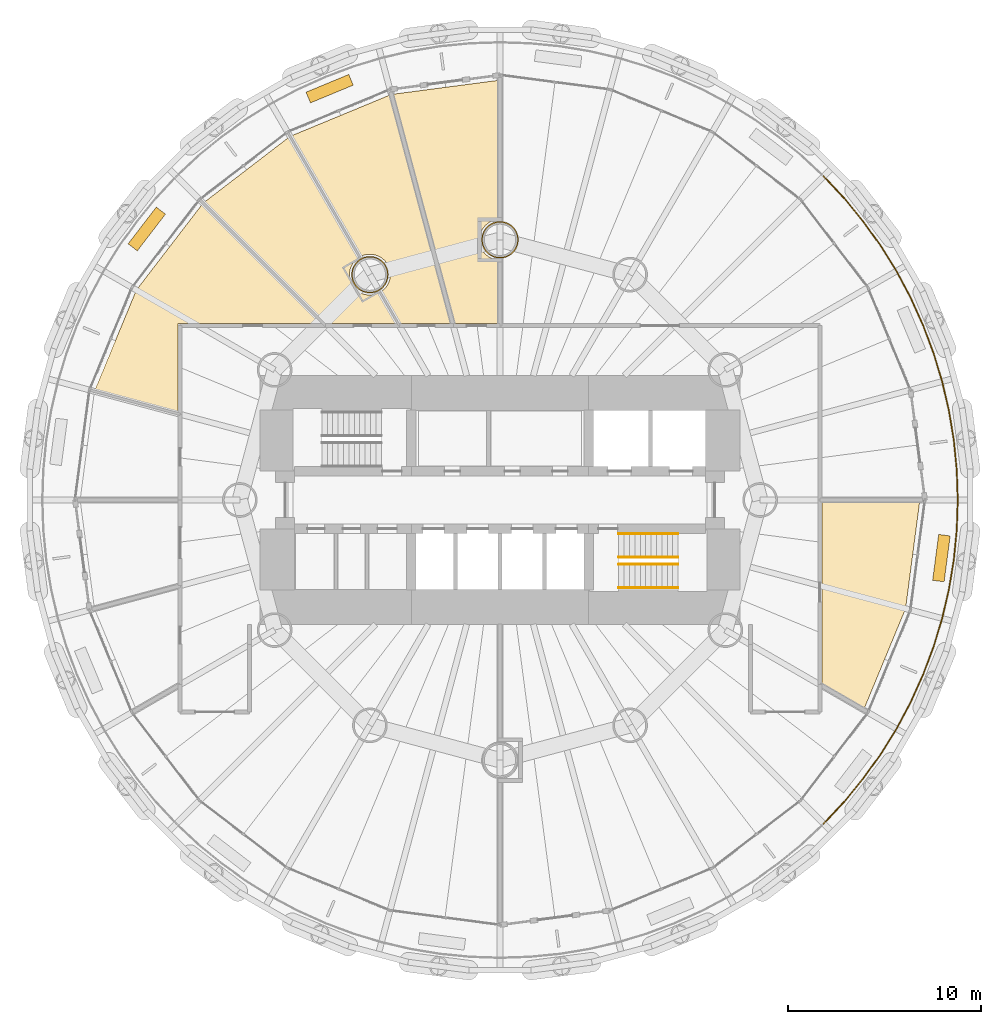
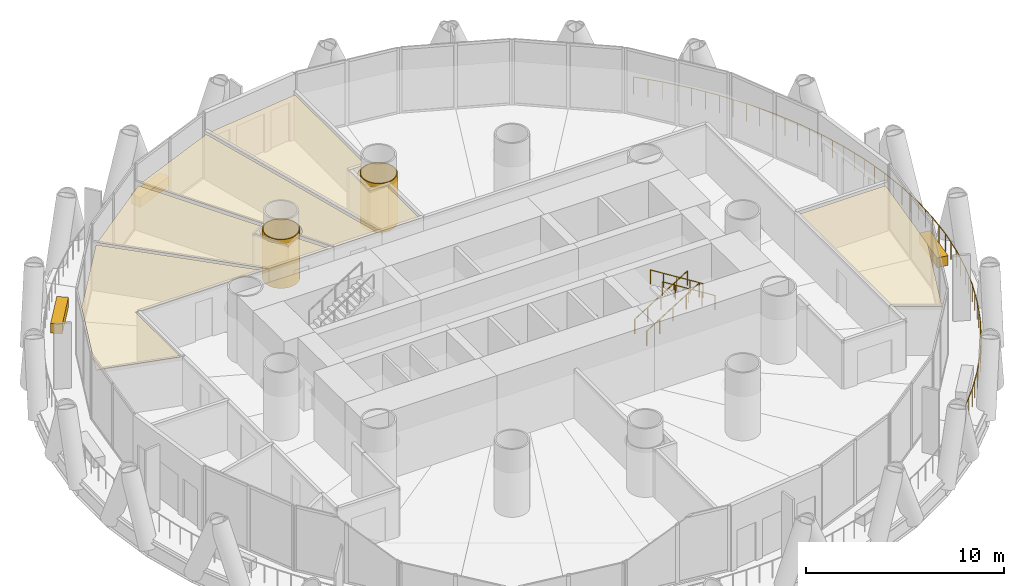
# One storey, part 15 of 16: 10 coverings, 5 railings.
"""IFC4 building model written with IfcOpenShell, lengths in metres."""

from ifc_helpers import new_model, si_unit, direction, frame, origin, origin_2d, place, context, subcontext, project, spatial, polyline, rectangle, circle, outline, extrude, material, layer, layer_set, type_object, element, save


model = new_model("IFC4")

# Units and contexts
model_context = context("Model", 3, precision=1e-05, world=origin(), true_north=direction((0.0, 1.0)))
body_context = subcontext(model_context, "Body", "Model", "MODEL_VIEW")
ifc_project = project(units=[si_unit("LENGTHUNIT", "METRE"), si_unit("AREAUNIT", "SQUARE_METRE"), si_unit("VOLUMEUNIT", "CUBIC_METRE"), si_unit("PLANEANGLEUNIT", "RADIAN"), si_unit("MASSUNIT", "GRAM", prefix="KILO")], contexts=[model_context])

# Site, building, storey
site_placement = place(None, origin())
site = spatial("IfcSite", under=ifc_project, at=site_placement, CompositionType="ELEMENT")
building_placement = place(site_placement, origin())
building = spatial("IfcBuilding", under=site, at=building_placement, Name="Qaws Media Tower", CompositionType="ELEMENT")
storey_placement = place(building_placement, frame((0.0, 0.0, 181.39990234375)))
storey = spatial("IfcBuildingStorey", under=building, at=storey_placement, Name="L41", CompositionType="ELEMENT", Elevation=181.39990234375)

# Covering
ifc_material_1 = material(Name="40 perforated acoustic panels with mineral wool backing, suspended", Category="mineral fibre")
ifc_layer_1 = layer(ifc_material_1, 0.0400390625)
ifc_layer_set_1 = layer_set([ifc_layer_1], Name="Acoustic panel ceiling 40")
covering_type_1 = type_object("IfcCoveringType", Name="Acoustic panel ceiling 40", PredefinedType="CEILING", material=ifc_layer_set_1)
covering_1_placement = place(storey_placement, frame((0.0, 0.0, 2.85009765625)))
element("IfcCovering", 1, at=covering_1_placement, inside=storey, type_object=covering_type_1, Name="CL3 ceiling L41-06 Meeting room", PredefinedType="CEILING", context=body_context, shape_type="SweptSolid", body=[
    extrude(outline(polyline([(41.13330078125, 60.892578125), (44.5263671875, 65.314453125), (50.678466796875, 59.16259765625), (43.28759765625, 59.16259765625), (43.28759765625, 54.594482421875), (39.00048828125, 55.743408203125), (41.13330078125, 60.892578125)])), origin(), (0.0, 0.0, 1.0), 0.0400390625),
])

# Railing
ifc_material_2 = material(Name="Stainless steel and glass guard", Category="steel")
railing_type_1 = type_object("IfcRailingType", Name="Balcony guard 1100", PredefinedType="GUARDRAIL", material=ifc_material_2)
railing_placement = place(storey_placement, frame((76.793701171875, 33.206298828125, 0.0)))
element("IfcRailing", 2, at=railing_placement, inside=storey, type_object=railing_type_1, Name="GR1 balcony guard L41-4", PredefinedType="GUARDRAIL", context=body_context, shape_type="SweptSolid", body=[
    extrude(circle(Radius=0.02392578125, at=origin_2d()), frame((0.0, 0.0, 1.076171875), z_axis=(0.683638001777, 0.729821267522, 0.0), x_axis=(-0.729821267522, 0.683638001777, 0.0)), (0.0, 0.0, 1.0), 1.55419921875),
    extrude(circle(Radius=0.02392578125, at=origin_2d()), frame((1.0625, 1.13427734375, 1.076171875), z_axis=(0.634340684529, 0.773053617773, 0.0), x_axis=(-0.773053617773, 0.634340684529, 0.0)), (0.0, 0.0, 1.0), 1.55419921875),
    extrude(circle(Radius=0.02392578125, at=origin_2d()), frame((2.04833984375, 2.335693359375, 1.076171875), z_axis=(0.582515481773, 0.812819606983, 0.0), x_axis=(-0.812819606983, 0.582515481773, 0.0)), (0.0, 0.0, 1.0), 1.553955078125),
    extrude(circle(Radius=0.02392578125, at=origin_2d()), frame((2.95361328125, 3.598876953125, 1.076171875), z_axis=(0.528105591598, 0.849178711534, 0.0), x_axis=(-0.849178711534, 0.528105591598, 0.0)), (0.0, 0.0, 1.0), 1.55419921875),
    extrude(circle(Radius=0.02392578125, at=origin_2d()), frame((3.7744140625, 4.918701171875, 1.076171875), z_axis=(0.471427829863, 0.881904644069, 0.0), x_axis=(-0.881904644069, 0.471427829863, 0.0)), (0.0, 0.0, 1.0), 1.55419921875),
    extrude(circle(Radius=0.02392578125, at=origin_2d()), frame((4.507080078125, 6.289306640625, 1.076171875), z_axis=(0.412642816459, 0.910892916881, 0.0), x_axis=(-0.910892916881, 0.412642816459, 0.0)), (0.0, 0.0, 1.0), 1.55419921875),
    extrude(circle(Radius=0.02392578125, at=origin_2d()), frame((5.1484375, 7.705078125, 1.076171875), z_axis=(0.352242335956, 0.935908829299, 0.0), x_axis=(-0.935908829299, 0.352242335956, 0.0)), (0.0, 0.0, 1.0), 1.553955078125),
    extrude(circle(Radius=0.02392578125, at=origin_2d()), frame((5.69580078125, 9.159423828125, 1.076171875), z_axis=(0.290286403891, 0.956939811961, 0.0), x_axis=(-0.956939811961, 0.290286403891, 0.0)), (0.0, 0.0, 1.0), 1.55419921875),
    extrude(circle(Radius=0.02392578125, at=origin_2d()), frame((6.14697265625, 10.646728515625, 1.076171875), z_axis=(0.227130304689, 0.97386437695, 0.0), x_axis=(-0.97386437695, 0.227130304689, 0.0)), (0.0, 0.0, 1.0), 1.55419921875),
    extrude(circle(Radius=0.02392578125, at=origin_2d()), frame((6.5, 12.160400390625, 1.076171875), z_axis=(0.162921137125, 0.986639094643, 0.0), x_axis=(-0.986639094643, 0.162921137125, 0.0)), (0.0, 0.0, 1.0), 1.553955078125),
    extrude(circle(Radius=0.02392578125, at=origin_2d()), frame((6.753173828125, 13.693603515625, 1.076171875), z_axis=(0.098010679686, 0.995185362969, 0.0), x_axis=(-0.995185362969, 0.098010679686, 0.0)), (0.0, 0.0, 1.0), 1.554443359375),
    extrude(circle(Radius=0.02392578125, at=origin_2d()), frame((6.905517578125, 15.240478515625, 1.076171875), z_axis=(0.032676661877, 0.999465975293, 0.0), x_axis=(-0.999465975293, 0.032676661877, 0.0)), (0.0, 0.0, 1.0), 1.553955078125),
    extrude(circle(Radius=0.02392578125, at=origin_2d()), frame((6.956298828125, 16.793701171875, 1.076171875), z_axis=(-0.032676661877, 0.999465975293, 0.0), x_axis=(-0.999465975293, -0.032676661877, 0.0)), (0.0, 0.0, 1.0), 1.553955078125),
    extrude(circle(Radius=0.02392578125, at=origin_2d()), frame((6.905517578125, 18.346923828125, 1.076171875), z_axis=(-0.098010679686, 0.995185362969, 0.0), x_axis=(-0.995185362969, -0.098010679686, 0.0)), (0.0, 0.0, 1.0), 1.554443359375),
    extrude(circle(Radius=0.02392578125, at=origin_2d()), frame((6.753173828125, 19.893798828125, 1.076171875), z_axis=(-0.162921137125, 0.986639094643, 0.0), x_axis=(-0.986639094643, -0.162921137125, 0.0)), (0.0, 0.0, 1.0), 1.553955078125),
    extrude(circle(Radius=0.02392578125, at=origin_2d()), frame((6.5, 21.427001953125, 1.076171875), z_axis=(-0.227130304689, 0.97386437695, 0.0), x_axis=(-0.97386437695, -0.227130304689, 0.0)), (0.0, 0.0, 1.0), 1.55419921875),
    extrude(circle(Radius=0.02392578125, at=origin_2d()), frame((6.14697265625, 22.940673828125, 1.076171875), z_axis=(-0.290286403891, 0.956939811961, 0.0), x_axis=(-0.956939811961, -0.290286403891, 0.0)), (0.0, 0.0, 1.0), 1.55419921875),
    extrude(circle(Radius=0.02392578125, at=origin_2d()), frame((5.69580078125, 24.427978515625, 1.076171875), z_axis=(-0.352242335956, 0.935908829299, 0.0), x_axis=(-0.935908829299, -0.352242335956, 0.0)), (0.0, 0.0, 1.0), 1.553955078125),
    extrude(circle(Radius=0.02392578125, at=origin_2d()), frame((5.1484375, 25.88232421875, 1.076171875), z_axis=(-0.412642816459, 0.910892916881, 0.0), x_axis=(-0.910892916881, -0.412642816459, 0.0)), (0.0, 0.0, 1.0), 1.55419921875),
    extrude(circle(Radius=0.02392578125, at=origin_2d()), frame((4.507080078125, 27.298095703125, 1.076171875), z_axis=(-0.471427829863, 0.881904644069, 0.0), x_axis=(-0.881904644069, -0.471427829863, 0.0)), (0.0, 0.0, 1.0), 1.55419921875),
    extrude(circle(Radius=0.02392578125, at=origin_2d()), frame((3.7744140625, 28.668701171875, 1.076171875), z_axis=(-0.528105591598, 0.849178711534, 0.0), x_axis=(-0.849178711534, -0.528105591598, 0.0)), (0.0, 0.0, 1.0), 1.55419921875),
    extrude(circle(Radius=0.02392578125, at=origin_2d()), frame((2.95361328125, 29.988525390625, 1.076171875), z_axis=(-0.582515481773, 0.812819606983, 0.0), x_axis=(-0.812819606983, -0.582515481773, 0.0)), (0.0, 0.0, 1.0), 1.553955078125),
    extrude(circle(Radius=0.02392578125, at=origin_2d()), frame((2.04833984375, 31.251708984375, 1.076171875), z_axis=(-0.634340684529, 0.773053617773, 0.0), x_axis=(-0.773053617773, -0.634340684529, 0.0)), (0.0, 0.0, 1.0), 1.55419921875),
    extrude(circle(Radius=0.02392578125, at=origin_2d()), frame((1.0625, 32.453125, 1.076171875), z_axis=(-0.683638001777, 0.729821267522, 0.0), x_axis=(-0.729821267522, -0.683638001777, 0.0)), (0.0, 0.0, 1.0), 1.55419921875),
    extrude(circle(Radius=0.02099609375, at=origin_2d()), origin(), (0.0, 0.0, 1.0), 1.052001953125),
    extrude(circle(Radius=0.02099609375, at=origin_2d()), frame((0.53125, 0.567138671875, 0.0)), (0.0, 0.0, 1.0), 1.052001953125),
    extrude(circle(Radius=0.02099609375, at=origin_2d()), frame((1.0625, 1.13427734375, 0.0)), (0.0, 0.0, 1.0), 1.052001953125),
    extrude(circle(Radius=0.02099609375, at=origin_2d()), frame((1.555419921875, 1.73486328125, 0.0)), (0.0, 0.0, 1.0), 1.052001953125),
    extrude(circle(Radius=0.02099609375, at=origin_2d()), frame((2.04833984375, 2.335693359375, 0.0)), (0.0, 0.0, 1.0), 1.052001953125),
    extrude(circle(Radius=0.02099609375, at=origin_2d()), frame((2.5009765625, 2.96728515625, 0.0)), (0.0, 0.0, 1.0), 1.052001953125),
    extrude(circle(Radius=0.02099609375, at=origin_2d()), frame((2.95361328125, 3.598876953125, 0.0)), (0.0, 0.0, 1.0), 1.052001953125),
    extrude(circle(Radius=0.02099609375, at=origin_2d()), frame((3.364013671875, 4.2587890625, 0.0)), (0.0, 0.0, 1.0), 1.052001953125),
    extrude(circle(Radius=0.02099609375, at=origin_2d()), frame((3.7744140625, 4.918701171875, 0.0)), (0.0, 0.0, 1.0), 1.052001953125),
    extrude(circle(Radius=0.02099609375, at=origin_2d()), frame((4.140625, 5.60400390625, 0.0)), (0.0, 0.0, 1.0), 1.052001953125),
    extrude(circle(Radius=0.02099609375, at=origin_2d()), frame((4.507080078125, 6.289306640625, 0.0)), (0.0, 0.0, 1.0), 1.052001953125),
    extrude(circle(Radius=0.02099609375, at=origin_2d()), frame((4.82763671875, 6.9970703125, 0.0)), (0.0, 0.0, 1.0), 1.052001953125),
    extrude(circle(Radius=0.02099609375, at=origin_2d()), frame((5.1484375, 7.705078125, 0.0)), (0.0, 0.0, 1.0), 1.052001953125),
    extrude(circle(Radius=0.02099609375, at=origin_2d()), frame((5.422119140625, 8.43212890625, 0.0)), (0.0, 0.0, 1.0), 1.052001953125),
    extrude(circle(Radius=0.02099609375, at=origin_2d()), frame((5.69580078125, 9.159423828125, 0.0)), (0.0, 0.0, 1.0), 1.052001953125),
    extrude(circle(Radius=0.02099609375, at=origin_2d()), frame((5.92138671875, 9.903076171875, 0.0)), (0.0, 0.0, 1.0), 1.052001953125),
    extrude(circle(Radius=0.02099609375, at=origin_2d()), frame((6.14697265625, 10.646728515625, 0.0)), (0.0, 0.0, 1.0), 1.052001953125),
    extrude(circle(Radius=0.02099609375, at=origin_2d()), frame((6.323486328125, 11.403564453125, 0.0)), (0.0, 0.0, 1.0), 1.052001953125),
    extrude(circle(Radius=0.02099609375, at=origin_2d()), frame((6.5, 12.160400390625, 0.0)), (0.0, 0.0, 1.0), 1.052001953125),
    extrude(circle(Radius=0.02099609375, at=origin_2d()), frame((6.62646484375, 12.927001953125, 0.0)), (0.0, 0.0, 1.0), 1.052001953125),
    extrude(circle(Radius=0.02099609375, at=origin_2d()), frame((6.753173828125, 13.693603515625, 0.0)), (0.0, 0.0, 1.0), 1.052001953125),
    extrude(circle(Radius=0.02099609375, at=origin_2d()), frame((6.829345703125, 14.467041015625, 0.0)), (0.0, 0.0, 1.0), 1.052001953125),
    extrude(circle(Radius=0.02099609375, at=origin_2d()), frame((6.905517578125, 15.240478515625, 0.0)), (0.0, 0.0, 1.0), 1.052001953125),
    extrude(circle(Radius=0.02099609375, at=origin_2d()), frame((6.930908203125, 16.01708984375, 0.0)), (0.0, 0.0, 1.0), 1.052001953125),
    extrude(circle(Radius=0.02099609375, at=origin_2d()), frame((6.956298828125, 16.793701171875, 0.0)), (0.0, 0.0, 1.0), 1.052001953125),
    extrude(circle(Radius=0.02099609375, at=origin_2d()), frame((6.930908203125, 17.5703125, 0.0)), (0.0, 0.0, 1.0), 1.052001953125),
    extrude(circle(Radius=0.02099609375, at=origin_2d()), frame((6.905517578125, 18.346923828125, 0.0)), (0.0, 0.0, 1.0), 1.052001953125),
    extrude(circle(Radius=0.02099609375, at=origin_2d()), frame((6.829345703125, 19.120361328125, 0.0)), (0.0, 0.0, 1.0), 1.052001953125),
    extrude(circle(Radius=0.02099609375, at=origin_2d()), frame((6.753173828125, 19.893798828125, 0.0)), (0.0, 0.0, 1.0), 1.052001953125),
    extrude(circle(Radius=0.02099609375, at=origin_2d()), frame((6.62646484375, 20.660400390625, 0.0)), (0.0, 0.0, 1.0), 1.052001953125),
    extrude(circle(Radius=0.02099609375, at=origin_2d()), frame((6.5, 21.427001953125, 0.0)), (0.0, 0.0, 1.0), 1.052001953125),
    extrude(circle(Radius=0.02099609375, at=origin_2d()), frame((6.323486328125, 22.183837890625, 0.0)), (0.0, 0.0, 1.0), 1.052001953125),
    extrude(circle(Radius=0.02099609375, at=origin_2d()), frame((6.14697265625, 22.940673828125, 0.0)), (0.0, 0.0, 1.0), 1.052001953125),
    extrude(circle(Radius=0.02099609375, at=origin_2d()), frame((5.92138671875, 23.684326171875, 0.0)), (0.0, 0.0, 1.0), 1.052001953125),
    extrude(circle(Radius=0.02099609375, at=origin_2d()), frame((5.69580078125, 24.427978515625, 0.0)), (0.0, 0.0, 1.0), 1.052001953125),
    extrude(circle(Radius=0.02099609375, at=origin_2d()), frame((5.422119140625, 25.1552734375, 0.0)), (0.0, 0.0, 1.0), 1.052001953125),
    extrude(circle(Radius=0.02099609375, at=origin_2d()), frame((5.1484375, 25.88232421875, 0.0)), (0.0, 0.0, 1.0), 1.052001953125),
    extrude(circle(Radius=0.02099609375, at=origin_2d()), frame((4.82763671875, 26.59033203125, 0.0)), (0.0, 0.0, 1.0), 1.052001953125),
    extrude(circle(Radius=0.02099609375, at=origin_2d()), frame((4.507080078125, 27.298095703125, 0.0)), (0.0, 0.0, 1.0), 1.052001953125),
    extrude(circle(Radius=0.02099609375, at=origin_2d()), frame((4.140625, 27.9833984375, 0.0)), (0.0, 0.0, 1.0), 1.052001953125),
    extrude(circle(Radius=0.02099609375, at=origin_2d()), frame((3.7744140625, 28.668701171875, 0.0)), (0.0, 0.0, 1.0), 1.052001953125),
    extrude(circle(Radius=0.02099609375, at=origin_2d()), frame((3.364013671875, 29.32861328125, 0.0)), (0.0, 0.0, 1.0), 1.052001953125),
    extrude(circle(Radius=0.02099609375, at=origin_2d()), frame((2.95361328125, 29.988525390625, 0.0)), (0.0, 0.0, 1.0), 1.052001953125),
    extrude(circle(Radius=0.02099609375, at=origin_2d()), frame((2.5009765625, 30.6201171875, 0.0)), (0.0, 0.0, 1.0), 1.052001953125),
    extrude(circle(Radius=0.02099609375, at=origin_2d()), frame((2.04833984375, 31.251708984375, 0.0)), (0.0, 0.0, 1.0), 1.052001953125),
    extrude(circle(Radius=0.02099609375, at=origin_2d()), frame((1.555419921875, 31.8525390625, 0.0)), (0.0, 0.0, 1.0), 1.052001953125),
    extrude(circle(Radius=0.02099609375, at=origin_2d()), frame((1.0625, 32.453125, 0.0)), (0.0, 0.0, 1.0), 1.052001953125),
    extrude(circle(Radius=0.02099609375, at=origin_2d()), frame((0.53125, 33.020263671875, 0.0)), (0.0, 0.0, 1.0), 1.052001953125),
    extrude(circle(Radius=0.02099609375, at=origin_2d()), frame((0.0, 33.58740234375, 0.0)), (0.0, 0.0, 1.0), 1.052001953125),
])

# Coverings
ifc_material_3 = material(Name="Two layers 15 fire-rated gypsum board on steel framing", Category="steel")
ifc_layer_2 = layer(ifc_material_3, 0.050048828125)
ifc_layer_set_2 = layer_set([ifc_layer_2], Name="Column fire casing")
covering_type_2 = type_object("IfcCoveringType", Name="Column fire casing", PredefinedType="CLADDING", material=ifc_layer_set_2)
covering_2_placement = place(storey_placement, origin())
element("IfcCovering", 3, at=covering_2_placement, inside=storey, type_object=covering_type_2, Name="CC1 column casing L41", PredefinedType="CLADDING", context=body_context, shape_type="SweptSolid", body=[
    extrude(outline(polyline([(60.955078125, 63.5), (60.94677734375, 63.375244140625), (60.922607421875, 63.252685546875), (60.88232421875, 63.134521484375), (60.8271484375, 63.0224609375), (60.7578125, 62.918701171875), (60.67529296875, 62.82470703125), (60.581298828125, 62.7421875), (60.4775390625, 62.6728515625), (60.365478515625, 62.61767578125), (60.247314453125, 62.577392578125), (60.124755859375, 62.55322265625), (60.0, 62.544921875), (59.875244140625, 62.55322265625), (59.752685546875, 62.577392578125), (59.634521484375, 62.61767578125), (59.5224609375, 62.6728515625), (59.418701171875, 62.7421875), (59.32470703125, 62.82470703125), (59.2421875, 62.918701171875), (59.1728515625, 63.0224609375), (59.11767578125, 63.134521484375), (59.077392578125, 63.252685546875), (59.05322265625, 63.375244140625), (59.044921875, 63.5), (59.05322265625, 63.624755859375), (59.077392578125, 63.747314453125), (59.11767578125, 63.865478515625), (59.1728515625, 63.9775390625), (59.2421875, 64.081298828125), (59.32470703125, 64.17529296875), (59.418701171875, 64.2578125), (59.5224609375, 64.3271484375), (59.634521484375, 64.38232421875), (59.752685546875, 64.422607421875), (59.875244140625, 64.44677734375), (60.0, 64.455078125), (60.124755859375, 64.44677734375), (60.247314453125, 64.422607421875), (60.365478515625, 64.38232421875), (60.4775390625, 64.3271484375), (60.581298828125, 64.2578125), (60.67529296875, 64.17529296875), (60.7578125, 64.081298828125), (60.8271484375, 63.9775390625), (60.88232421875, 63.865478515625), (60.922607421875, 63.747314453125), (60.94677734375, 63.624755859375), (60.955078125, 63.5)]), holes=[polyline([(60.903076171875, 63.5), (60.895263671875, 63.382080078125), (60.872314453125, 63.266357421875), (60.834228515625, 63.154296875), (60.781982421875, 63.048583984375), (60.71630859375, 62.9501953125), (60.638427734375, 62.861572265625), (60.5498046875, 62.78369140625), (60.451416015625, 62.718017578125), (60.345703125, 62.665771484375), (60.233642578125, 62.627685546875), (60.117919921875, 62.604736328125), (60.0, 62.596923828125), (59.882080078125, 62.604736328125), (59.766357421875, 62.627685546875), (59.654296875, 62.665771484375), (59.548583984375, 62.718017578125), (59.4501953125, 62.78369140625), (59.361572265625, 62.861572265625), (59.28369140625, 62.9501953125), (59.218017578125, 63.048583984375), (59.165771484375, 63.154296875), (59.127685546875, 63.266357421875), (59.104736328125, 63.382080078125), (59.096923828125, 63.5), (59.104736328125, 63.617919921875), (59.127685546875, 63.733642578125), (59.165771484375, 63.845703125), (59.218017578125, 63.951416015625), (59.28369140625, 64.0498046875), (59.361572265625, 64.138427734375), (59.4501953125, 64.21630859375), (59.548583984375, 64.281982421875), (59.654296875, 64.334228515625), (59.766357421875, 64.372314453125), (59.882080078125, 64.395263671875), (60.0, 64.403076171875), (60.117919921875, 64.395263671875), (60.233642578125, 64.372314453125), (60.345703125, 64.334228515625), (60.451416015625, 64.281982421875), (60.5498046875, 64.21630859375), (60.638427734375, 64.138427734375), (60.71630859375, 64.0498046875), (60.781982421875, 63.951416015625), (60.834228515625, 63.845703125), (60.872314453125, 63.733642578125), (60.895263671875, 63.617919921875), (60.903076171875, 63.5)])]), origin(), (0.0, 0.0, 1.0), 3.02001953125),
])
covering_3_placement = place(storey_placement, origin())
element("IfcCovering", 4, at=covering_3_placement, inside=storey, type_object=covering_type_2, Name="CC1 column casing L41", PredefinedType="CLADDING", context=body_context, shape_type="SweptSolid", body=[
    extrude(outline(polyline([(54.205078125, 61.69140625), (54.19677734375, 61.566650390625), (54.172607421875, 61.444091796875), (54.13232421875, 61.325927734375), (54.0771484375, 61.2138671875), (54.0078125, 61.110107421875), (53.92529296875, 61.01611328125), (53.831298828125, 60.93359375), (53.7275390625, 60.8642578125), (53.615478515625, 60.80908203125), (53.497314453125, 60.768798828125), (53.374755859375, 60.744384765625), (53.25, 60.736328125), (53.125244140625, 60.744384765625), (53.002685546875, 60.768798828125), (52.884521484375, 60.80908203125), (52.7724609375, 60.8642578125), (52.668701171875, 60.93359375), (52.57470703125, 61.01611328125), (52.4921875, 61.110107421875), (52.4228515625, 61.2138671875), (52.36767578125, 61.325927734375), (52.327392578125, 61.444091796875), (52.30322265625, 61.566650390625), (52.294921875, 61.69140625), (52.30322265625, 61.81591796875), (52.327392578125, 61.9384765625), (52.36767578125, 62.056884765625), (52.4228515625, 62.168701171875), (52.4921875, 62.272705078125), (52.57470703125, 62.36669921875), (52.668701171875, 62.448974609375), (52.7724609375, 62.518310546875), (52.884521484375, 62.573486328125), (53.002685546875, 62.61376953125), (53.125244140625, 62.63818359375), (53.25, 62.646240234375), (53.374755859375, 62.63818359375), (53.497314453125, 62.61376953125), (53.615478515625, 62.573486328125), (53.7275390625, 62.518310546875), (53.831298828125, 62.448974609375), (53.92529296875, 62.36669921875), (54.0078125, 62.272705078125), (54.0771484375, 62.168701171875), (54.13232421875, 62.056884765625), (54.172607421875, 61.9384765625), (54.19677734375, 61.81591796875), (54.205078125, 61.69140625)]), holes=[polyline([(54.153076171875, 61.69140625), (54.145263671875, 61.573486328125), (54.122314453125, 61.45751953125), (54.084228515625, 61.345703125), (54.031982421875, 61.23974609375), (53.96630859375, 61.1416015625), (53.888427734375, 61.052734375), (53.7998046875, 60.974853515625), (53.701416015625, 60.9091796875), (53.595703125, 60.857177734375), (53.483642578125, 60.819091796875), (53.367919921875, 60.796142578125), (53.25, 60.788330078125), (53.132080078125, 60.796142578125), (53.016357421875, 60.819091796875), (52.904296875, 60.857177734375), (52.798583984375, 60.9091796875), (52.7001953125, 60.974853515625), (52.611572265625, 61.052734375), (52.53369140625, 61.1416015625), (52.468017578125, 61.23974609375), (52.415771484375, 61.345703125), (52.377685546875, 61.45751953125), (52.354736328125, 61.573486328125), (52.346923828125, 61.69140625), (52.354736328125, 61.80908203125), (52.377685546875, 61.925048828125), (52.415771484375, 62.036865234375), (52.468017578125, 62.142822265625), (52.53369140625, 62.2412109375), (52.611572265625, 62.329833984375), (52.7001953125, 62.40771484375), (52.798583984375, 62.473388671875), (52.904296875, 62.525634765625), (53.016357421875, 62.563720703125), (53.132080078125, 62.586669921875), (53.25, 62.59423828125), (53.367919921875, 62.586669921875), (53.483642578125, 62.563720703125), (53.595703125, 62.525634765625), (53.701416015625, 62.473388671875), (53.7998046875, 62.40771484375), (53.888427734375, 62.329833984375), (53.96630859375, 62.2412109375), (54.031982421875, 62.142822265625), (54.084228515625, 62.036865234375), (54.122314453125, 61.925048828125), (54.145263671875, 61.80908203125), (54.153076171875, 61.69140625)])]), origin(), (0.0, 0.0, 1.0), 3.02001953125),
])
ifc_material_4 = material(Name="600 x 600 mineral fibre tiles in exposed grid, suspended", Category="mineral fibre")
ifc_layer_3 = layer(ifc_material_4, 0.02001953125)
ifc_layer_set_3 = layer_set([ifc_layer_3], Name="Mineral fibre tile ceiling 20")
covering_type_3 = type_object("IfcCoveringType", Name="Mineral fibre tile ceiling 20", PredefinedType="CEILING", material=ifc_layer_set_3)
covering_4_placement = place(storey_placement, frame((0.0, 0.0, 2.85009765625)))
element("IfcCovering", 5, at=covering_4_placement, inside=storey, type_object=covering_type_3, Name="CL1 ceiling L41-04 Office", PredefinedType="CEILING", context=body_context, shape_type="SweptSolid", body=[
    extrude(outline(polyline([(54.256591796875, 70.99951171875), (57.428466796875, 59.16259765625), (54.83984375, 59.16259765625), (53.873779296875, 60.8359375), (53.895263671875, 60.850341796875), (53.99951171875, 60.94189453125), (54.091064453125, 61.046142578125), (54.16796875, 61.161376953125), (54.229248046875, 61.28564453125), (54.27392578125, 61.4169921875), (54.30078125, 61.552978515625), (54.31005859375, 61.69140625), (54.30078125, 61.82958984375), (54.27392578125, 61.9658203125), (54.229248046875, 62.096923828125), (54.16796875, 62.22119140625), (54.091064453125, 62.336669921875), (53.99951171875, 62.44091796875), (53.895263671875, 62.5322265625), (53.780029296875, 62.609375), (53.655517578125, 62.670654296875), (53.5244140625, 62.715087890625), (53.388427734375, 62.7421875), (53.25, 62.751220703125), (53.111572265625, 62.7421875), (52.9755859375, 62.715087890625), (52.844482421875, 62.670654296875), (52.821044921875, 62.6591796875), (49.212158203125, 68.909912109375), (54.256591796875, 70.99951171875)])), origin(), (0.0, 0.0, 1.0), 0.02001953125),
])
covering_5_placement = place(storey_placement, frame((0.0, 0.0, 2.85009765625)))
element("IfcCovering", 6, at=covering_5_placement, inside=storey, type_object=covering_type_3, Name="CL1 ceiling L41-05 Office", PredefinedType="CEILING", context=body_context, shape_type="SweptSolid", body=[
    extrude(outline(polyline([(49.017333984375, 68.797607421875), (52.626220703125, 62.546630859375), (52.604736328125, 62.5322265625), (52.50048828125, 62.44091796875), (52.408935546875, 62.336669921875), (52.33203125, 62.22119140625), (52.270751953125, 62.096923828125), (52.22607421875, 61.9658203125), (52.19921875, 61.82958984375), (52.18994140625, 61.69140625), (52.19921875, 61.552978515625), (52.22607421875, 61.4169921875), (52.270751953125, 61.28564453125), (52.33203125, 61.161376953125), (52.408935546875, 61.046142578125), (52.50048828125, 60.94189453125), (52.604736328125, 60.850341796875), (52.719970703125, 60.7734375), (52.844482421875, 60.7119140625), (52.9755859375, 60.66748046875), (53.111572265625, 60.640380859375), (53.25, 60.63134765625), (53.388427734375, 60.640380859375), (53.5244140625, 60.66748046875), (53.655517578125, 60.7119140625), (53.678955078125, 60.723388671875), (54.580078125, 59.16259765625), (50.99658203125, 59.16259765625), (44.685546875, 65.4736328125), (49.017333984375, 68.797607421875)])), origin(), (0.0, 0.0, 1.0), 0.02001953125),
])
covering_6_placement = place(storey_placement, frame((0.0, 0.0, 2.85009765625)))
element("IfcCovering", 7, at=covering_6_placement, inside=storey, type_object=covering_type_3, Name="CL1 ceiling L41-12 Communications office", PredefinedType="CEILING", context=body_context, shape_type="SweptSolid", body=[
    extrude(outline(polyline([(81.04296875, 44.361572265625), (78.909912109375, 39.212158203125), (76.71240234375, 40.48095703125), (76.71240234375, 49.887451171875), (81.7705078125, 49.887451171875), (81.04296875, 44.361572265625)])), origin(), (0.0, 0.0, 1.0), 0.02001953125),
])
ifc_material_5 = material(Name="Precast concrete planter with trailing planting", Category="concrete")
ifc_layer_4 = layer(ifc_material_5, 0.60009765625)
ifc_layer_set_4 = layer_set([ifc_layer_4], Name="Planter 2400x600")
covering_type_4 = type_object("IfcCoveringType", Name="Planter 2400x600", PredefinedType="USERDEFINED", material=ifc_layer_set_4)
for number, where, z_axis, x_axis, name in (
    (8, (51.159912109375, 71.341552734375, 0.0), (0.0, 0.0, 1.0), (-0.923879532511, -0.382683432365, 0.0), "PL1 balcony planter L41-04"),
    (9, (41.673583984375, 64.0625, 0.0), (0.0, 0.0, 1.0), (-0.608761429009, -0.793353340291, 0.0), "PL1 balcony planter L41-05"),
    (10, (82.90234375, 46.98486328125, 0.0), (0.0, 0.0, 1.0), (0.13052619222, 0.991444861374, 0.0), "PL1 balcony planter L41-12"),
):
    element("IfcCovering", number, at=place(storey_placement, frame(where, z_axis=z_axis, x_axis=x_axis)), inside=storey, type_object=covering_type_4, Name=name, ObjectType="PLANTER", PredefinedType="USERDEFINED", context=body_context, shape_type="SweptSolid", body=[
        extrude(rectangle(XDim=2.39990234375, YDim=0.60009765625, at=origin_2d()), origin(), (0.0, 0.0, 1.0), 0.60009765625),
    ])
ifc_material_6 = material(Name="Two layers 12.5 moisture-resistant plasterboard on suspended metal furring", Category="gypsum")
ifc_layer_5 = layer(ifc_material_6, 0.02490234375)
ifc_layer_set_5 = layer_set([ifc_layer_5], Name="Plasterboard ceiling 25")
covering_type_5 = type_object("IfcCoveringType", Name="Plasterboard ceiling 25", PredefinedType="CEILING", material=ifc_layer_set_5)
covering_7_placement = place(storey_placement, frame((0.0, 0.0, 2.85009765625)))
element("IfcCovering", 11, at=covering_7_placement, inside=storey, type_object=covering_type_5, Name="CL2 ceiling L41-03 Strategy reception", PredefinedType="CEILING", context=body_context, shape_type="SweptSolid", body=[
    extrude(outline(polyline([(59.887451171875, 71.7705078125), (59.887451171875, 64.552490234375), (59.861572265625, 64.55078125), (59.7255859375, 64.52392578125), (59.594482421875, 64.479248046875), (59.469970703125, 64.41796875), (59.354736328125, 64.341064453125), (59.25048828125, 64.24951171875), (59.158935546875, 64.145263671875), (59.08203125, 64.030029296875), (59.020751953125, 63.905517578125), (58.97607421875, 63.7744140625), (58.94921875, 63.638427734375), (58.93994140625, 63.5), (58.94921875, 63.361572265625), (58.97607421875, 63.2255859375), (59.020751953125, 63.094482421875), (59.08203125, 62.969970703125), (59.158935546875, 62.854736328125), (59.25048828125, 62.75048828125), (59.354736328125, 62.658935546875), (59.469970703125, 62.58203125), (59.594482421875, 62.520751953125), (59.7255859375, 62.47607421875), (59.861572265625, 62.44921875), (59.887451171875, 62.447509765625), (59.887451171875, 59.16259765625), (57.661376953125, 59.16259765625), (54.47412109375, 71.0576171875), (59.887451171875, 71.7705078125)])), origin(), (0.0, 0.0, 1.0), 0.02490234375),
])

# Railings
ifc_material_7 = material(Name="Steel tube handrail", Category="steel")
railing_type_2 = type_object("IfcRailingType", Name="Stair handrail 900", PredefinedType="HANDRAIL", material=ifc_material_7)
for number, where, name in (
    (12, (66.159912109375, 48.25, 0.175048828125), "HR1 handrail S2 flight 1 L41"),
    (13, (66.159912109375, 47.0400390625, 0.175048828125), "HR1 handrail S2 flight 1 L41"),
):
    element("IfcRailing", number, at=place(storey_placement, frame(where)), inside=storey, type_object=railing_type_2, Name=name, PredefinedType="HANDRAIL", context=body_context, shape_type="SweptSolid", body=[
        extrude(circle(Radius=0.02392578125, at=origin_2d()), frame((0.0, 0.0, 0.8759765625), z_axis=(0.847998304005, 0.0, 0.529998940003), x_axis=(0.0, 1.0, 0.0)), (0.0, 0.0, 1.0), 3.632080078125),
        extrude(circle(Radius=0.02099609375, at=origin_2d()), origin(), (0.0, 0.0, 1.0), 0.851806640625),
        extrude(circle(Radius=0.02099609375, at=origin_2d()), frame((0.77001953125, 0.0, 0.481201171875)), (0.0, 0.0, 1.0), 0.851806640625),
        extrude(circle(Radius=0.02099609375, at=origin_2d()), frame((1.5400390625, 0.0, 0.96240234375)), (0.0, 0.0, 1.0), 0.851806640625),
        extrude(circle(Radius=0.02099609375, at=origin_2d()), frame((2.31005859375, 0.0, 1.44384765625)), (0.0, 0.0, 1.0), 0.851806640625),
        extrude(circle(Radius=0.02099609375, at=origin_2d()), frame((3.080078125, 0.0, 1.925048828125)), (0.0, 0.0, 1.0), 0.851806640625),
    ])
for number, where, name in (
    (14, (69.239990234375, 45.449951171875, 2.275146484375), "HR1 handrail S2 flight 2 L41"),
    (15, (69.239990234375, 46.659912109375, 2.275146484375), "HR1 handrail S2 flight 2 L41"),
):
    element("IfcRailing", number, at=place(storey_placement, frame(where)), inside=storey, type_object=railing_type_2, Name=name, PredefinedType="HANDRAIL", context=body_context, shape_type="SweptSolid", body=[
        extrude(circle(Radius=0.02392578125, at=origin_2d()), frame((0.0, 0.0, 0.8759765625), z_axis=(-0.847998304005, 0.0, 0.529998940003), x_axis=(0.0, -1.0, 0.0)), (0.0, 0.0, 1.0), 3.632080078125),
        extrude(circle(Radius=0.02099609375, at=origin_2d()), origin(), (0.0, 0.0, 1.0), 0.851806640625),
        extrude(circle(Radius=0.02099609375, at=origin_2d()), frame((-0.77001953125, 0.0, 0.481201171875)), (0.0, 0.0, 1.0), 0.851806640625),
        extrude(circle(Radius=0.02099609375, at=origin_2d()), frame((-1.5400390625, 0.0, 0.96240234375)), (0.0, 0.0, 1.0), 0.851806640625),
        extrude(circle(Radius=0.02099609375, at=origin_2d()), frame((-2.31005859375, 0.0, 1.44384765625)), (0.0, 0.0, 1.0), 0.851806640625),
        extrude(circle(Radius=0.02099609375, at=origin_2d()), frame((-3.080078125, 0.0, 1.925048828125)), (0.0, 0.0, 1.0), 0.851806640625),
    ])

save(model, "model.ifc")
